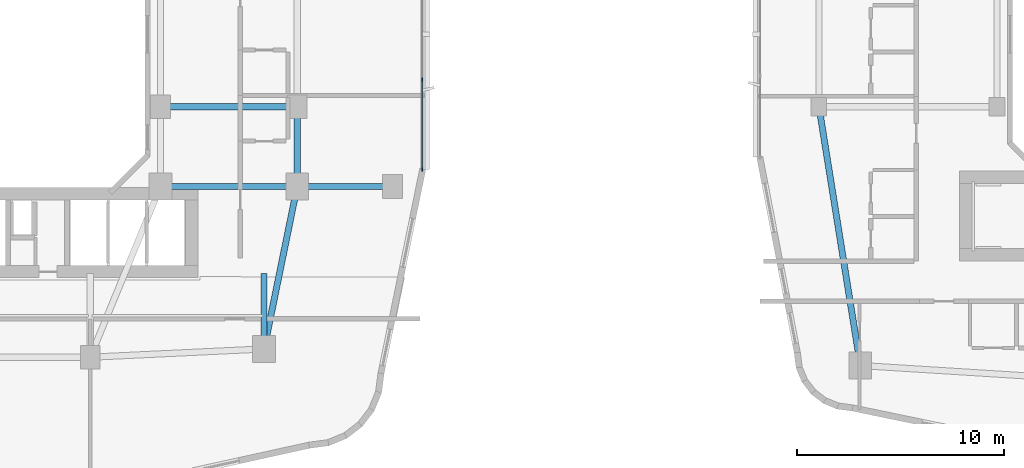
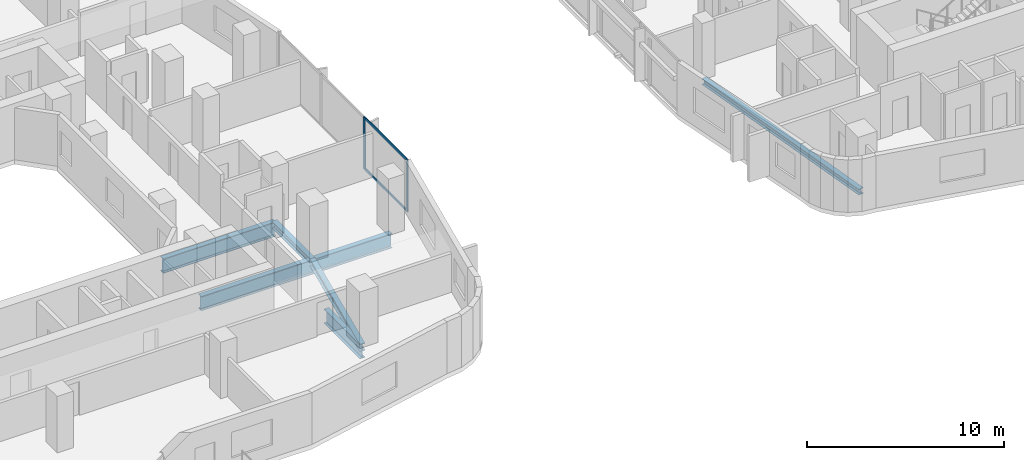
# One storey, part 3 of 22: 7 beams, 4 members, 1 element without a shape of its own.
"""IFC4 building model written with IfcOpenShell, lengths in metres."""

import ifcopenshell
import ifcopenshell.guid

model = None  # the IFC model being written
_history = None  # IfcOwnerHistory: only IFC2X3 demands one
_inside = {}  # id of a spatial element -> (the spatial element, [elements in it])
_under = {}  # id of a project, library or spatial element -> (it, [spatial elements below it])
_declared = {}  # id of a project -> (the project, [libraries it declares])
_typed = {}  # id of a type object -> (the type object, [elements of that type])
_made_of = {}  # id of a material, layer set ... -> (it, [elements and type objects made of it])


def new_model(schema):
    """Start an empty IFC model of exactly this schema.

    Asked for "IFC4X3", IfcOpenShell would pick the latest addendum, in which some entities
    have other attributes; the version numbers below select the first issue.
    IFC2X3 requires an IfcOwnerHistory on every rooted entity: one is made here for all.
    """
    global model, _history
    if schema == "IFC4X3":
        model = ifcopenshell.file(schema_version=(4, 3, 0, 0))
    else:
        model = ifcopenshell.file(schema=schema)
    _inside.clear()
    _under.clear()
    _declared.clear()
    _typed.clear()
    _made_of.clear()
    _history = None
    if model.schema == "IFC2X3":
        org = make("IfcOrganization", Name="unknown")
        user = make(
            "IfcPersonAndOrganization",
            ThePerson=make("IfcPerson", FamilyName="unknown"),
            TheOrganization=org,
        )
        app = make(
            "IfcApplication",
            ApplicationDeveloper=org,
            Version="unknown",
            ApplicationFullName="unknown",
            ApplicationIdentifier="unknown",
        )
        _history = make(
            "IfcOwnerHistory",
            OwningUser=user,
            OwningApplication=app,
            ChangeAction="ADDED",
            CreationDate=0,
        )
    return model


def make(cls, **values):
    """One entity of the class cls with the attributes given. An attribute that is None is left unset."""
    return model.create_entity(
        cls, **{name: value for name, value in values.items() if value is not None}
    )


def rooted(cls, **values):
    """An entity with a GlobalId (a new one), such as an element, a storey or a relation."""
    return make(cls, GlobalId=ifcopenshell.guid.new(), OwnerHistory=_history, **values)


def si_unit(unit_type, name, prefix=None):
    """IfcSIUnit, for example si_unit("LENGTHUNIT", "METRE", prefix="MILLI")."""
    return make("IfcSIUnit", UnitType=unit_type, Prefix=prefix, Name=name)


def derived_unit(unit_type, elements):
    """IfcDerivedUnit: a product of units, each with its exponent."""
    return make(
        "IfcDerivedUnit",
        Elements=[
            make("IfcDerivedUnitElement", Unit=unit, Exponent=power)
            for unit, power in elements
        ],
        UnitType=unit_type,
    )


def assignment(units):
    """IfcUnitAssignment: the units of a project."""
    return None if units is None else make("IfcUnitAssignment", Units=units)


def point(xyz):
    """IfcCartesianPoint."""
    return None if xyz is None else make("IfcCartesianPoint", Coordinates=xyz)


def direction(xyz):
    """IfcDirection."""
    return None if xyz is None else make("IfcDirection", DirectionRatios=xyz)


def frame(location, z_axis=None, x_axis=None):
    """IfcAxis2Placement3D, a coordinate frame: its origin and axes. An axis left out is left unset."""
    return make(
        "IfcAxis2Placement3D",
        Location=point(location),
        Axis=direction(z_axis),
        RefDirection=direction(x_axis),
    )


def frame_2d(location, x_axis=None):
    """IfcAxis2Placement2D, a coordinate frame in the plane: its origin and x axis."""
    return make(
        "IfcAxis2Placement2D", Location=point(location), RefDirection=direction(x_axis)
    )


def origin():
    """The frame at (0, 0, 0) with its axes left unset."""
    return frame((0.0, 0.0, 0.0))


def origin_2d():
    """The frame at (0, 0) in the plane with its x axis left unset."""
    return frame_2d((0.0, 0.0))


def place(relative_to, where):
    """IfcLocalPlacement: puts the frame where relative to a parent placement (None: the world)."""
    return make(
        "IfcLocalPlacement", PlacementRelTo=relative_to, RelativePlacement=where
    )


def context(
    kind, dimensions, precision=None, world=None, true_north=None, identifier=None
):
    """IfcGeometricRepresentationContext, for example the 3D "Model" context."""
    return make(
        "IfcGeometricRepresentationContext",
        ContextIdentifier=identifier,
        ContextType=kind,
        CoordinateSpaceDimension=dimensions,
        Precision=precision,
        WorldCoordinateSystem=world,
        TrueNorth=true_north,
    )


def subcontext(parent, identifier, kind, view, scale=None):
    """IfcGeometricRepresentationSubContext, for example "Body" below "Model"."""
    return make(
        "IfcGeometricRepresentationSubContext",
        ContextIdentifier=identifier,
        ContextType=kind,
        ParentContext=parent,
        TargetScale=scale,
        TargetView=view,
    )


def project(units=None, contexts=None):
    """IfcProject with its units and contexts."""
    return rooted(
        "IfcProject",
        Name="project",
        RepresentationContexts=contexts,
        UnitsInContext=assignment(units),
    )


def spatial(cls, under=None, at=None, **own):
    """A site, building, storey or space (cls), placed at a placement, below another one or the project."""
    s = rooted(cls, ObjectPlacement=at, **own)
    if under is not None:
        _under.setdefault(under.id(), (under, []))[1].append(s)
    return s


def profile(cls, at=None, kind="AREA", **sizes):
    """A parametric profile (cls). Its sizes go by their IFC names, for example OverallWidth=200.0."""
    return make(cls, ProfileType=kind, Position=at, **sizes)


def rectangle(**sizes):
    """IfcRectangleProfileDef."""
    return profile("IfcRectangleProfileDef", **sizes)


def i_section(**sizes):
    """IfcIShapeProfileDef."""
    return profile("IfcIShapeProfileDef", **sizes)


def extrude(swept, where, along, depth):
    """IfcExtrudedAreaSolid: the profile swept, set in the frame where, extruded along a direction by depth."""
    return make(
        "IfcExtrudedAreaSolid",
        SweptArea=swept,
        Position=where,
        ExtrudedDirection=direction(along),
        Depth=depth,
    )


def shape(context_of_items, identifier, shape_type, items):
    """IfcShapeRepresentation: the items that make up one representation, for example the "Body"."""
    return make(
        "IfcShapeRepresentation",
        ContextOfItems=context_of_items,
        RepresentationIdentifier=identifier,
        RepresentationType=shape_type,
        Items=items,
    )


def material(Name=None, Category=None):
    """IfcMaterial."""
    return make("IfcMaterial", Name=Name, Category=Category)


def layer(
    of_material, thickness, ventilated=None, Name=None, Category=None, Priority=None
):
    """IfcMaterialLayer: one layer of a wall or slab, of a material (None: an air gap)."""
    return make(
        "IfcMaterialLayer",
        Material=of_material,
        LayerThickness=thickness,
        IsVentilated=ventilated,
        Name=Name,
        Category=Category,
        Priority=Priority,
    )


def layer_set(layers, Name=None):
    """IfcMaterialLayerSet."""
    return make("IfcMaterialLayerSet", MaterialLayers=layers, LayerSetName=Name)


def material_profile(
    of_material, cross_section, Name=None, Category=None, Priority=None
):
    """IfcMaterialProfile: a cross section and its material."""
    return make(
        "IfcMaterialProfile",
        Name=Name,
        Material=of_material,
        Profile=cross_section,
        Priority=Priority,
        Category=Category,
    )


def profile_set(profiles, Name=None, composite=None):
    """IfcMaterialProfileSet."""
    return make(
        "IfcMaterialProfileSet",
        Name=Name,
        MaterialProfiles=profiles,
        CompositeProfile=composite,
    )


def made_of(thing, what):
    """Note that an element or type object is made of a material, layer set ...; save() writes the relation."""
    if what is not None:
        _made_of.setdefault(what.id(), (what, []))[1].append(thing)
    return thing


def type_object(cls, material=None, **own):
    """A type object (cls), such as IfcWallType, which elements share."""
    return made_of(rooted(cls, **own), material)


def element(
    cls,
    number,
    at=None,
    inside=None,
    cuts=None,
    type_object=None,
    material=None,
    context=None,
    identifier="Body",
    shape_type=None,
    held_by="IfcProductDefinitionShape",
    body=None,
    shapes=None,
    **own,
):
    """One element of the class cls, such as IfcWall. Its Tag is "e" and its number.

    at: its placement. inside: the storey or other place that contains it. cuts: it is an
    opening in that element (IfcRelVoidsElement). A single representation is given by context,
    identifier, shape_type and body (its items); several are given by shapes. held_by: the class
    of the entity that holds the representations. save() writes the other relations.
    """
    e = rooted(cls, Tag="e%d" % number, ObjectPlacement=at, **own)
    if body is not None:
        shapes = [shape(context, identifier, shape_type, body)]
    if shapes is not None:
        e.Representation = make(held_by, Representations=shapes)
    if inside is not None:
        _inside.setdefault(inside.id(), (inside, []))[1].append(e)
    if cuts is not None:
        rooted(
            "IfcRelVoidsElement", RelatingBuildingElement=cuts, RelatedOpeningElement=e
        )
    if type_object is not None:
        _typed.setdefault(type_object.id(), (type_object, []))[1].append(e)
    return made_of(e, material)


def aggregate(whole, parts):
    """IfcRelAggregates: a whole, such as a stair, and the parts it consists of."""
    return rooted("IfcRelAggregates", RelatingObject=whole, RelatedObjects=parts)


def save(model, path):
    """Write the relations noted so far, then the file.

    IfcRelAggregates (storeys below a building ...), IfcRelContainedInSpatialStructure (elements
    in a storey), IfcRelDefinesByType, IfcRelAssociatesMaterial and IfcRelDeclares: one each for
    every whole, place, type object, material and project.
    """
    for whole, parts in _under.values():
        aggregate(whole, parts)
    for where, things in _inside.values():
        rooted(
            "IfcRelContainedInSpatialStructure",
            RelatedElements=things,
            RelatingStructure=where,
        )
    for kind, things in _typed.values():
        rooted("IfcRelDefinesByType", RelatedObjects=things, RelatingType=kind)
    for what, things in _made_of.values():
        rooted("IfcRelAssociatesMaterial", RelatedObjects=things, RelatingMaterial=what)
    for by, libraries in _declared.values():
        rooted("IfcRelDeclares", RelatingContext=by, RelatedDefinitions=libraries)
    model.write(path)


model = new_model("IFC4")

# Units and contexts
model_context = context("Model", 3, precision=1e-05, world=origin(), true_north=direction((0.0, 1.0)))
body_context = subcontext(model_context, "Body", "Model", "MODEL_VIEW")
ifc_project = project(units=[si_unit("LENGTHUNIT", "METRE"), si_unit("AREAUNIT", "SQUARE_METRE"), si_unit("VOLUMEUNIT", "CUBIC_METRE"), si_unit("PLANEANGLEUNIT", "RADIAN"), si_unit("MASSUNIT", "GRAM", prefix="KILO"), derived_unit("THERMALTRANSMITTANCEUNIT", [(si_unit("POWERUNIT", "WATT"), 1), (si_unit("LENGTHUNIT", "METRE"), -2), (si_unit("THERMODYNAMICTEMPERATUREUNIT", "KELVIN"), -1)])], contexts=[model_context])

# Site, building, storey
site_placement = place(None, origin())
site = spatial("IfcSite", under=ifc_project, at=site_placement, CompositionType="ELEMENT")
building_placement = place(site_placement, origin())
building = spatial("IfcBuilding", under=site, at=building_placement, Name="Kivonza Crest Hotel", CompositionType="ELEMENT")
storey_placement = place(building_placement, frame((0.0, 0.0, 27.5)))
storey = spatial("IfcBuildingStorey", under=building, at=storey_placement, Name="L06", CompositionType="ELEMENT", Elevation=27.5)

# Beams
ifc_material_1 = material(Name="Steel S355", Category="steel")
ifc_material_profile_1 = material_profile(ifc_material_1, i_section(OverallWidth=0.300048828125, OverallDepth=0.360107421875, WebThickness=0.012451171875, FlangeThickness=0.0224609375, FilletRadius=0.027099609375, at=origin_2d()), Name="HEB 360")
ifc_profile_set_1 = profile_set([ifc_material_profile_1], Name="Steel S355")
beam_type_1 = type_object("IfcBeamType", Name="BM-HEB360", PredefinedType="SPANDREL", material=ifc_profile_set_1)
beam_1_placement = place(storey_placement, frame((61.0, 21.5, -0.429931640625), z_axis=(0.157990501107, -0.987440631917, 0.0), x_axis=(0.987440631917, 0.157990501107, 0.0)))
element("IfcBeam", 1, at=beam_1_placement, inside=storey, type_object=beam_type_1, Name="Companion Tower T2 L06 perimeter spandrel W1-SW", PredefinedType="SPANDREL", context=body_context, shape_type="SweptSolid", body=[
    extrude(i_section(OverallWidth=0.300048828125, OverallDepth=0.360107421875, WebThickness=0.012451171875, FlangeThickness=0.0224609375, FilletRadius=0.027099609375, at=origin_2d()), origin(), (0.0, 0.0, 1.0), 12.658935546875),
])
ifc_material_profile_2 = material_profile(ifc_material_1, i_section(OverallWidth=0.300048828125, OverallDepth=0.449951171875, WebThickness=0.013916015625, FlangeThickness=0.02587890625, FilletRadius=0.027099609375, at=origin_2d()), Name="HEB 450")
ifc_profile_set_2 = profile_set([ifc_material_profile_2], Name="Steel S355")
beam_type_2 = type_object("IfcBeamType", Name="BM-HEB450", PredefinedType="SPANDREL", material=ifc_profile_set_2)
beam_2_placement = place(storey_placement, frame((34.199951171875, 9.800048828125, -0.5048828125), z_axis=(0.199730733965, 0.979850822273, 0.0), x_axis=(-0.979850822273, 0.199730733965, 0.0)))
element("IfcBeam", 2, at=beam_2_placement, inside=storey, type_object=beam_type_2, Name="Tower T1 L06 perimeter spandrel SE-PSE", PredefinedType="SPANDREL", context=body_context, shape_type="SweptSolid", body=[
    extrude(i_section(OverallWidth=0.300048828125, OverallDepth=0.449951171875, WebThickness=0.013916015625, FlangeThickness=0.02587890625, FilletRadius=0.027099609375, at=origin_2d()), origin(), (0.0, 0.0, 1.0), 8.01123046875),
])
beam_3_placement = place(storey_placement, frame((35.800048828125, 17.64990234375, -0.5048828125), z_axis=(0.0, 1.0, 0.0), x_axis=(-1.0, 0.0, 0.0)))
element("IfcBeam", 3, at=beam_3_placement, inside=storey, type_object=beam_type_2, Name="Tower T1 L06 perimeter spandrel PSE-E1", PredefinedType="SPANDREL", context=body_context, shape_type="SweptSolid", body=[
    extrude(i_section(OverallWidth=0.300048828125, OverallDepth=0.449951171875, WebThickness=0.013916015625, FlangeThickness=0.02587890625, FilletRadius=0.027099609375, at=origin_2d()), origin(), (0.0, 0.0, 1.0), 3.85009765625),
])
ifc_material_profile_3 = material_profile(ifc_material_1, i_section(OverallWidth=0.300048828125, OverallDepth=0.89990234375, WebThickness=0.0185546875, FlangeThickness=0.034912109375, FilletRadius=0.030029296875, at=origin_2d()), Name="HEB 900")
ifc_profile_set_3 = profile_set([ifc_material_profile_3], Name="Steel S355")
beam_type_3 = type_object("IfcBeamType", Name="BM-HEB900", PredefinedType="BEAM", material=ifc_profile_set_3)
for number, where, z_axis, x_axis, name in (
    (4, (29.199951171875, 17.64990234375, -0.72998046875), (1.0, 0.0, 0.0), (0.0, 1.0, 0.0), "Tower T1 L06 primary girder TSE-PSE"),
    (5, (29.199951171875, 21.5, -0.72998046875), (1.0, 0.0, 0.0), (0.0, 1.0, 0.0), "Tower T1 L06 primary girder WR1-E1"),
):
    element("IfcBeam", number, at=place(storey_placement, frame(where, z_axis=z_axis, x_axis=x_axis)), inside=storey, type_object=beam_type_3, Name=name, PredefinedType="BEAM", context=body_context, shape_type="SweptSolid", body=[
        extrude(i_section(OverallWidth=0.300048828125, OverallDepth=0.89990234375, WebThickness=0.0185546875, FlangeThickness=0.034912109375, FilletRadius=0.030029296875, at=origin_2d()), origin(), (0.0, 0.0, 1.0), 6.60009765625),
    ])
beam_4_placement = place(storey_placement, frame((40.39990234375, 17.64990234375, -0.72998046875), z_axis=(-1.0, 0.0, 0.0), x_axis=(0.0, -1.0, 0.0)))
element("IfcBeam", 6, at=beam_4_placement, inside=storey, type_object=beam_type_3, Name="Tower T1 L06 outer bay girder ZE1", PredefinedType="BEAM", context=body_context, shape_type="SweptSolid", body=[
    extrude(i_section(OverallWidth=0.300048828125, OverallDepth=0.89990234375, WebThickness=0.0185546875, FlangeThickness=0.034912109375, FilletRadius=0.030029296875, at=origin_2d()), origin(), (0.0, 0.0, 1.0), 4.599853515625),
])
beam_5_placement = place(storey_placement, frame((34.199951171875, 9.800048828125, -0.72998046875), z_axis=(0.0, 1.0, 0.0), x_axis=(-1.0, 0.0, 0.0)))
element("IfcBeam", 7, at=beam_5_placement, inside=storey, type_object=beam_type_3, Name="Tower T1 L06 radial core girder RSE", PredefinedType="BEAM", context=body_context, shape_type="SweptSolid", body=[
    extrude(i_section(OverallWidth=0.300048828125, OverallDepth=0.89990234375, WebThickness=0.0185546875, FlangeThickness=0.034912109375, FilletRadius=0.030029296875, at=origin_2d()), origin(), (0.0, 0.0, 1.0), 3.64990234375),
])

# Curtain wall, members
ifc_material_2 = material(Name="Anodised bronze aluminium and low-E double glazing", Category="aluminium")
ifc_layer = layer(ifc_material_2, 0.179931640625)
ifc_layer_set = layer_set([ifc_layer], Name="Anodised bronze aluminium and low-E double glazing")
curtain_wall_type = type_object("IfcCurtainWallType", Name="CW-SYS-2", PredefinedType="NOTDEFINED", material=ifc_layer_set)
curtain_wall_placement = place(storey_placement, origin())
curtain_wall = element("IfcCurtainWall", 8, at=curtain_wall_placement, inside=storey, type_object=curtain_wall_type, Name="L06 unitised curtain wall CW-T1-L06-17", PredefinedType="NOTDEFINED")
ifc_material_3 = material(Name="Anodised bronze aluminium", Category="aluminium")
ifc_material_profile_4 = material_profile(ifc_material_3, rectangle(XDim=0.06494140625, YDim=0.179931640625, at=origin_2d()), Name="CW-M 65x180")
ifc_profile_set_4 = profile_set([ifc_material_profile_4], Name="Anodised bronze aluminium")
member_type_1 = type_object("IfcMemberType", Name="CW-MUL-65x180", PredefinedType="MULLION", material=ifc_profile_set_4)
member_1_placement = place(storey_placement, frame((41.840087890625, 18.472412109375, 0.0), z_axis=(0.0, 0.0, 1.0), x_axis=(-1.0, 0.0, 0.0)))
member_1 = element("IfcMember", 9, at=member_1_placement, type_object=member_type_1, Name="CW-2 mullion 1", PredefinedType="MULLION", context=body_context, shape_type="SweptSolid", body=[
    extrude(rectangle(XDim=0.06494140625, YDim=0.179931640625, at=origin_2d()), origin(), (0.0, 0.0, 1.0), 3.219970703125),
])
member_2_placement = place(storey_placement, frame((41.840087890625, 22.813232421875, 0.0), z_axis=(0.0, 0.0, 1.0), x_axis=(-1.0, 0.0, 0.0)))
member_2 = element("IfcMember", 10, at=member_2_placement, type_object=member_type_1, Name="CW-2 mullion 2", PredefinedType="MULLION", context=body_context, shape_type="SweptSolid", body=[
    extrude(rectangle(XDim=0.06494140625, YDim=0.179931640625, at=origin_2d()), origin(), (0.0, 0.0, 1.0), 3.219970703125),
])
ifc_material_profile_5 = material_profile(ifc_material_3, rectangle(XDim=0.06494140625, YDim=0.139892578125, at=origin_2d()), Name="CW-T 65x140")
ifc_profile_set_5 = profile_set([ifc_material_profile_5], Name="Anodised bronze aluminium")
member_type_2 = type_object("IfcMemberType", Name="CW-TRN-65x140", PredefinedType="USERDEFINED", material=ifc_profile_set_5)
member_3_placement = place(storey_placement, frame((41.840087890625, 18.5048828125, 0.032470703125), z_axis=(0.0, 1.0, 0.0), x_axis=(-1.0, 0.0, 0.0)))
member_3 = element("IfcMember", 11, at=member_3_placement, type_object=member_type_2, Name="CW-2 transom 1.1", ObjectType="TRANSOM", PredefinedType="USERDEFINED", context=body_context, shape_type="SweptSolid", body=[
    extrude(rectangle(XDim=0.06494140625, YDim=0.139892578125, at=origin_2d()), origin(), (0.0, 0.0, 1.0), 4.27587890625),
])
member_4_placement = place(storey_placement, frame((41.840087890625, 18.5048828125, 3.1875), z_axis=(0.0, 1.0, 0.0), x_axis=(-1.0, 0.0, 0.0)))
member_4 = element("IfcMember", 12, at=member_4_placement, type_object=member_type_2, Name="CW-2 transom 1.2", ObjectType="TRANSOM", PredefinedType="USERDEFINED", context=body_context, shape_type="SweptSolid", body=[
    extrude(rectangle(XDim=0.06494140625, YDim=0.139892578125, at=origin_2d()), origin(), (0.0, 0.0, 1.0), 4.27587890625),
])
aggregate(curtain_wall, [member_1, member_2, member_3, member_4])

save(model, "model.ifc")
